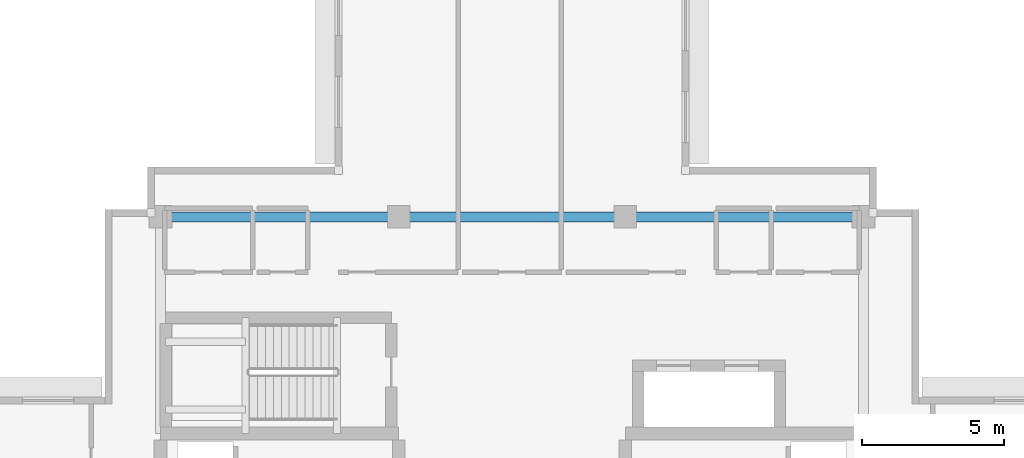
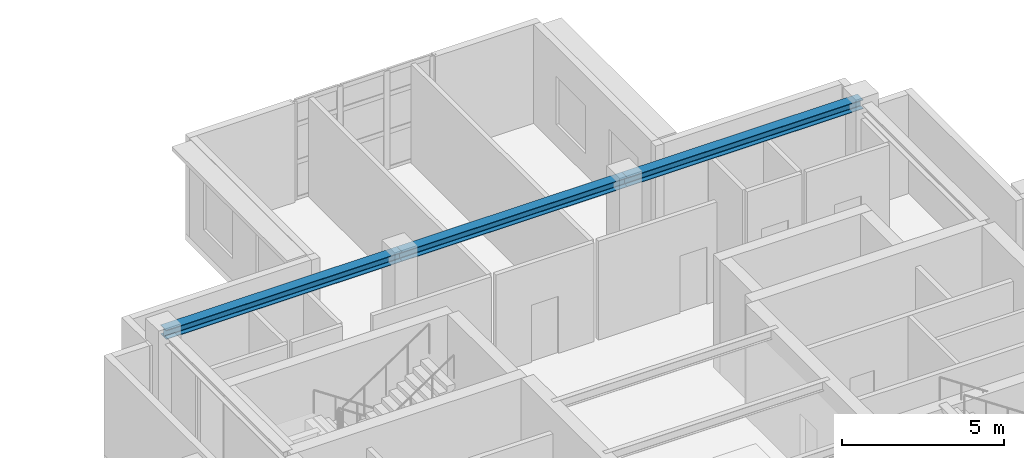
# One storey, part 7 of 16: 3 beams.
"""IFC4 building model written with IfcOpenShell, lengths in metres."""

from ifc_helpers import new_model, si_unit, direction, frame, origin, origin_2d, place, context, subcontext, project, spatial, i_section, extrude, material, material_profile, profile_set, type_object, element, save


model = new_model("IFC4")

# Units and contexts
model_context = context("Model", 3, precision=1e-05, world=origin(), true_north=direction((0.0, 1.0)))
body_context = subcontext(model_context, "Body", "Model", "MODEL_VIEW")
ifc_project = project(units=[si_unit("LENGTHUNIT", "METRE"), si_unit("AREAUNIT", "SQUARE_METRE"), si_unit("VOLUMEUNIT", "CUBIC_METRE"), si_unit("PLANEANGLEUNIT", "RADIAN"), si_unit("MASSUNIT", "GRAM", prefix="KILO")], contexts=[model_context])

# Site, building, storey
site_placement = place(None, origin())
site = spatial("IfcSite", under=ifc_project, at=site_placement, CompositionType="ELEMENT")
building_placement = place(site_placement, origin())
building = spatial("IfcBuilding", under=site, at=building_placement, Name="Qingluan Cross Belvedere", CompositionType="ELEMENT")
storey_placement = place(building_placement, frame((0.0, 0.0, 308.39990234375)))
storey = spatial("IfcBuildingStorey", under=building, at=storey_placement, Name="L76", CompositionType="ELEMENT", Elevation=308.39990234375)

# Beams
ifc_material = material(Name="Steel Q420GJB", Category="steel")
ifc_material_profile = material_profile(ifc_material, i_section(OverallWidth=0.35009765625, OverallDepth=0.35009765625, WebThickness=0.011962890625, FlangeThickness=0.01904296875, FilletRadius=0.02001953125, at=origin_2d()), Name="HW350x350x12x19")
ifc_profile_set = profile_set([ifc_material_profile], Name="Steel Q420GJB")
beam_type = type_object("IfcBeamType", Name="Steel_Girder_HW350x350x12x19", PredefinedType="USERDEFINED", material=ifc_profile_set)
beam_1_placement = place(storey_placement, frame((-12.39990234375, 12.60009765625, 4.0751953125), z_axis=(1.0, 0.0, 0.0), x_axis=(0.0, 1.0, 0.0)))
element("IfcBeam", 1, at=beam_1_placement, inside=storey, type_object=beam_type, Name="Hub girder L76-HG-N1", ObjectType="GIRDER", PredefinedType="USERDEFINED", context=body_context, shape_type="SweptSolid", body=[
    extrude(i_section(OverallWidth=0.35009765625, OverallDepth=0.35009765625, WebThickness=0.011962890625, FlangeThickness=0.01904296875, FilletRadius=0.02001953125, at=origin_2d()), origin(), (0.0, 0.0, 1.0), 8.39990234375),
])
beam_2_placement = place(storey_placement, frame((-4.0, 12.60009765625, 4.0751953125), z_axis=(1.0, 0.0, 0.0), x_axis=(0.0, 1.0, 0.0)))
element("IfcBeam", 2, at=beam_2_placement, inside=storey, type_object=beam_type, Name="Hub girder L76-HG-N2", ObjectType="GIRDER", PredefinedType="USERDEFINED", context=body_context, shape_type="SweptSolid", body=[
    extrude(i_section(OverallWidth=0.35009765625, OverallDepth=0.35009765625, WebThickness=0.011962890625, FlangeThickness=0.01904296875, FilletRadius=0.02001953125, at=origin_2d()), origin(), (0.0, 0.0, 1.0), 8.0),
])
beam_3_placement = place(storey_placement, frame((4.0, 12.60009765625, 4.0751953125), z_axis=(1.0, 0.0, 0.0), x_axis=(0.0, 1.0, 0.0)))
element("IfcBeam", 3, at=beam_3_placement, inside=storey, type_object=beam_type, Name="Hub girder L76-HG-N3", ObjectType="GIRDER", PredefinedType="USERDEFINED", context=body_context, shape_type="SweptSolid", body=[
    extrude(i_section(OverallWidth=0.35009765625, OverallDepth=0.35009765625, WebThickness=0.011962890625, FlangeThickness=0.01904296875, FilletRadius=0.02001953125, at=origin_2d()), origin(), (0.0, 0.0, 1.0), 8.39990234375),
])

save(model, "model.ifc")
